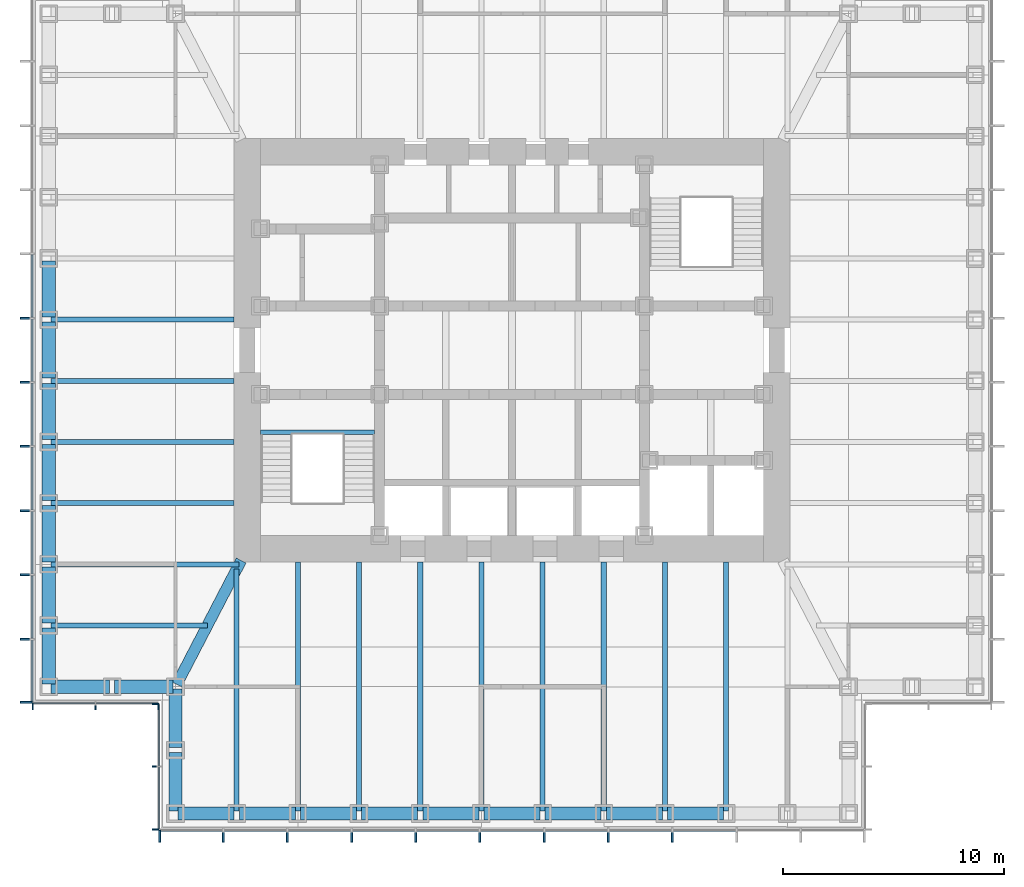
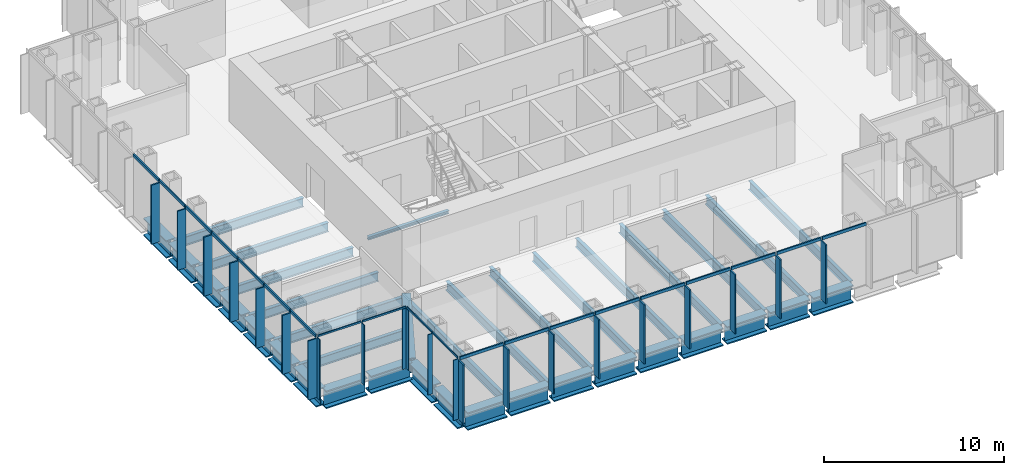
# One storey, part 2 of 16: 42 members, 37 beams, 4 elements without a shape of their own.
"""IFC4 building model written with IfcOpenShell, lengths in metres."""

from ifc_helpers import new_model, si_unit, direction, frame, origin, origin_2d, place, context, subcontext, project, spatial, rectangle, i_section, extrude, material, material_profile, profile_set, type_object, element, aggregate, save


model = new_model("IFC4")

# Units and contexts
model_context = context("Model", 3, precision=1e-05, world=origin(), true_north=direction((0.0, 1.0)))
body_context = subcontext(model_context, "Body", "Model", "MODEL_VIEW")
ifc_project = project(units=[si_unit("LENGTHUNIT", "METRE"), si_unit("AREAUNIT", "SQUARE_METRE"), si_unit("VOLUMEUNIT", "CUBIC_METRE"), si_unit("PLANEANGLEUNIT", "RADIAN"), si_unit("MASSUNIT", "GRAM", prefix="KILO")], contexts=[model_context])

# Site, building, storey
site_placement = place(None, origin())
site = spatial("IfcSite", under=ifc_project, at=site_placement, CompositionType="ELEMENT")
building_placement = place(site_placement, origin())
building = spatial("IfcBuilding", under=site, at=building_placement, Name="Daluyong Arena Tower", CompositionType="ELEMENT")
storey_placement = place(building_placement, frame((0.0, 0.0, 254.5)))
storey = spatial("IfcBuildingStorey", under=building, at=storey_placement, Name="L57", CompositionType="ELEMENT", Elevation=254.5)

# Curtain wall, members
ifc_material_1 = material(Name="Bronze anodised aluminium and glass", Category="aluminium")
curtain_wall_type_1 = type_object("IfcCurtainWallType", Name="Curtain wall CW4", PredefinedType="USERDEFINED", material=ifc_material_1)
curtain_wall_1_placement = place(storey_placement, origin())
curtain_wall_1 = element("IfcCurtainWall", 1, at=curtain_wall_1_placement, inside=storey, type_object=curtain_wall_type_1, Name="curtain wall L57 S", ObjectType="UNITISED CURTAIN WALL", PredefinedType="USERDEFINED")
ifc_material_2 = material(Name="Bronze anodised aluminium fin", Category="aluminium")
ifc_material_profile_1 = material_profile(ifc_material_2, rectangle(XDim=0.550048828125, YDim=0.090087890625, at=origin_2d()))
ifc_profile_set_1 = profile_set([ifc_material_profile_1], Name="Bronze anodised aluminium fin")
member_type_1 = type_object("IfcMemberType", Name="CW4 bronze fin 550x90", PredefinedType="MULLION", material=ifc_profile_set_1)
member_1_placement = place(storey_placement, frame((40.044921875, 57.97509765625, 0.0), z_axis=(0.0, 0.0, 1.0), x_axis=(0.0, 1.0, 0.0)))
member_1 = element("IfcMember", 2, at=member_1_placement, type_object=member_type_1, Name="curtain wall L57 S fin 1", PredefinedType="MULLION", context=body_context, shape_type="SweptSolid", body=[
    extrude(rectangle(XDim=0.550048828125, YDim=0.090087890625, at=origin_2d()), origin(), (0.0, 0.0, 1.0), 4.0),
])
member_2_placement = place(storey_placement, frame((42.9091796875, 57.97509765625, 0.0), z_axis=(0.0, 0.0, 1.0), x_axis=(0.0, 1.0, 0.0)))
member_2 = element("IfcMember", 3, at=member_2_placement, type_object=member_type_1, Name="curtain wall L57 S fin 2", PredefinedType="MULLION", context=body_context, shape_type="SweptSolid", body=[
    extrude(rectangle(XDim=0.550048828125, YDim=0.090087890625, at=origin_2d()), origin(), (0.0, 0.0, 1.0), 4.0),
])
member_3_placement = place(storey_placement, frame((45.818115234375, 57.97509765625, 0.0), z_axis=(0.0, 0.0, 1.0), x_axis=(0.0, 1.0, 0.0)))
member_3 = element("IfcMember", 4, at=member_3_placement, type_object=member_type_1, Name="curtain wall L57 S fin 3", PredefinedType="MULLION", context=body_context, shape_type="SweptSolid", body=[
    extrude(rectangle(XDim=0.550048828125, YDim=0.090087890625, at=origin_2d()), origin(), (0.0, 0.0, 1.0), 4.0),
])
member_4_placement = place(storey_placement, frame((48.727294921875, 57.97509765625, 0.0), z_axis=(0.0, 0.0, 1.0), x_axis=(0.0, 1.0, 0.0)))
member_4 = element("IfcMember", 5, at=member_4_placement, type_object=member_type_1, Name="curtain wall L57 S fin 4", PredefinedType="MULLION", context=body_context, shape_type="SweptSolid", body=[
    extrude(rectangle(XDim=0.550048828125, YDim=0.090087890625, at=origin_2d()), origin(), (0.0, 0.0, 1.0), 4.0),
])
member_5_placement = place(storey_placement, frame((51.636474609375, 57.97509765625, 0.0), z_axis=(0.0, 0.0, 1.0), x_axis=(0.0, 1.0, 0.0)))
member_5 = element("IfcMember", 6, at=member_5_placement, type_object=member_type_1, Name="curtain wall L57 S fin 5", PredefinedType="MULLION", context=body_context, shape_type="SweptSolid", body=[
    extrude(rectangle(XDim=0.550048828125, YDim=0.090087890625, at=origin_2d()), origin(), (0.0, 0.0, 1.0), 4.0),
])
member_6_placement = place(storey_placement, frame((54.54541015625, 57.97509765625, 0.0), z_axis=(0.0, 0.0, 1.0), x_axis=(0.0, 1.0, 0.0)))
member_6 = element("IfcMember", 7, at=member_6_placement, type_object=member_type_1, Name="curtain wall L57 S fin 6", PredefinedType="MULLION", context=body_context, shape_type="SweptSolid", body=[
    extrude(rectangle(XDim=0.550048828125, YDim=0.090087890625, at=origin_2d()), origin(), (0.0, 0.0, 1.0), 4.0),
])
member_7_placement = place(storey_placement, frame((57.45458984375, 57.97509765625, 0.0), z_axis=(0.0, 0.0, 1.0), x_axis=(0.0, 1.0, 0.0)))
member_7 = element("IfcMember", 8, at=member_7_placement, type_object=member_type_1, Name="curtain wall L57 S fin 7", PredefinedType="MULLION", context=body_context, shape_type="SweptSolid", body=[
    extrude(rectangle(XDim=0.550048828125, YDim=0.090087890625, at=origin_2d()), origin(), (0.0, 0.0, 1.0), 4.0),
])
member_8_placement = place(storey_placement, frame((60.363525390625, 57.97509765625, 0.0), z_axis=(0.0, 0.0, 1.0), x_axis=(0.0, 1.0, 0.0)))
member_8 = element("IfcMember", 9, at=member_8_placement, type_object=member_type_1, Name="curtain wall L57 S fin 8", PredefinedType="MULLION", context=body_context, shape_type="SweptSolid", body=[
    extrude(rectangle(XDim=0.550048828125, YDim=0.090087890625, at=origin_2d()), origin(), (0.0, 0.0, 1.0), 4.0),
])
member_9_placement = place(storey_placement, frame((63.272705078125, 57.97509765625, 0.0), z_axis=(0.0, 0.0, 1.0), x_axis=(0.0, 1.0, 0.0)))
member_9 = element("IfcMember", 10, at=member_9_placement, type_object=member_type_1, Name="curtain wall L57 S fin 9", PredefinedType="MULLION", context=body_context, shape_type="SweptSolid", body=[
    extrude(rectangle(XDim=0.550048828125, YDim=0.090087890625, at=origin_2d()), origin(), (0.0, 0.0, 1.0), 4.0),
])

curtain_wall_2_placement = place(storey_placement, origin())
curtain_wall_2 = element("IfcCurtainWall", 11, at=curtain_wall_2_placement, inside=storey, type_object=curtain_wall_type_1, Name="curtain wall L57 W", ObjectType="UNITISED CURTAIN WALL", PredefinedType="USERDEFINED")
member_10_placement = place(storey_placement, frame((33.97509765625, 81.45458984375, 0.0), z_axis=(0.0, 0.0, 1.0), x_axis=(1.0, 0.0, 0.0)))
member_10 = element("IfcMember", 12, at=member_10_placement, type_object=member_type_1, Name="curtain wall L57 W fin 6", PredefinedType="MULLION", context=body_context, shape_type="SweptSolid", body=[
    extrude(rectangle(XDim=0.550048828125, YDim=0.090087890625, at=origin_2d()), origin(), (0.0, 0.0, 1.0), 4.0),
])
member_11_placement = place(storey_placement, frame((33.97509765625, 78.54541015625, 0.0), z_axis=(0.0, 0.0, 1.0), x_axis=(1.0, 0.0, 0.0)))
member_11 = element("IfcMember", 13, at=member_11_placement, type_object=member_type_1, Name="curtain wall L57 W fin 7", PredefinedType="MULLION", context=body_context, shape_type="SweptSolid", body=[
    extrude(rectangle(XDim=0.550048828125, YDim=0.090087890625, at=origin_2d()), origin(), (0.0, 0.0, 1.0), 4.0),
])
member_12_placement = place(storey_placement, frame((33.97509765625, 75.636474609375, 0.0), z_axis=(0.0, 0.0, 1.0), x_axis=(1.0, 0.0, 0.0)))
member_12 = element("IfcMember", 14, at=member_12_placement, type_object=member_type_1, Name="curtain wall L57 W fin 8", PredefinedType="MULLION", context=body_context, shape_type="SweptSolid", body=[
    extrude(rectangle(XDim=0.550048828125, YDim=0.090087890625, at=origin_2d()), origin(), (0.0, 0.0, 1.0), 4.0),
])
member_13_placement = place(storey_placement, frame((33.97509765625, 72.727294921875, 0.0), z_axis=(0.0, 0.0, 1.0), x_axis=(1.0, 0.0, 0.0)))
member_13 = element("IfcMember", 15, at=member_13_placement, type_object=member_type_1, Name="curtain wall L57 W fin 9", PredefinedType="MULLION", context=body_context, shape_type="SweptSolid", body=[
    extrude(rectangle(XDim=0.550048828125, YDim=0.090087890625, at=origin_2d()), origin(), (0.0, 0.0, 1.0), 4.0),
])
member_14_placement = place(storey_placement, frame((33.97509765625, 69.818115234375, 0.0), z_axis=(0.0, 0.0, 1.0), x_axis=(1.0, 0.0, 0.0)))
member_14 = element("IfcMember", 16, at=member_14_placement, type_object=member_type_1, Name="curtain wall L57 W fin 10", PredefinedType="MULLION", context=body_context, shape_type="SweptSolid", body=[
    extrude(rectangle(XDim=0.550048828125, YDim=0.090087890625, at=origin_2d()), origin(), (0.0, 0.0, 1.0), 4.0),
])
member_15_placement = place(storey_placement, frame((33.97509765625, 66.9091796875, 0.0), z_axis=(0.0, 0.0, 1.0), x_axis=(1.0, 0.0, 0.0)))
member_15 = element("IfcMember", 17, at=member_15_placement, type_object=member_type_1, Name="curtain wall L57 W fin 11", PredefinedType="MULLION", context=body_context, shape_type="SweptSolid", body=[
    extrude(rectangle(XDim=0.550048828125, YDim=0.090087890625, at=origin_2d()), origin(), (0.0, 0.0, 1.0), 4.0),
])
member_16_placement = place(storey_placement, frame((33.97509765625, 64.044921875, 0.0), z_axis=(0.0, 0.0, 1.0), x_axis=(1.0, 0.0, 0.0)))
member_16 = element("IfcMember", 18, at=member_16_placement, type_object=member_type_1, Name="curtain wall L57 W fin 12", PredefinedType="MULLION", context=body_context, shape_type="SweptSolid", body=[
    extrude(rectangle(XDim=0.550048828125, YDim=0.090087890625, at=origin_2d()), origin(), (0.0, 0.0, 1.0), 4.0),
])

# Member
ifc_material_3 = material(Name="Bronze anodised aluminium", Category="aluminium")
ifc_material_profile_2 = material_profile(ifc_material_3, rectangle(XDim=0.090087890625, YDim=0.199951171875, at=origin_2d()))
ifc_profile_set_2 = profile_set([ifc_material_profile_2], Name="Bronze anodised aluminium")
member_type_2 = type_object("IfcMemberType", Name="CW4 stack transom 200x90", PredefinedType="USERDEFINED", material=ifc_profile_set_2)
member_17_placement = place(storey_placement, frame((40.090087890625, 58.25, 4.10009765625), z_axis=(1.0, 0.0, 0.0), x_axis=(0.0, 1.0, 0.0)))
member_17 = element("IfcMember", 19, at=member_17_placement, type_object=member_type_2, Name="curtain wall L57 S transom 1", ObjectType="TRANSOM", PredefinedType="USERDEFINED", context=body_context, shape_type="SweptSolid", body=[
    extrude(rectangle(XDim=0.090087890625, YDim=0.199951171875, at=origin_2d()), origin(), (0.0, 0.0, 1.0), 2.77392578125),
])

member_18_placement = place(storey_placement, frame((42.9541015625, 58.25, 4.10009765625), z_axis=(1.0, 0.0, 0.0), x_axis=(0.0, 1.0, 0.0)))
member_18 = element("IfcMember", 20, at=member_18_placement, type_object=member_type_2, Name="curtain wall L57 S transom 2", ObjectType="TRANSOM", PredefinedType="USERDEFINED", context=body_context, shape_type="SweptSolid", body=[
    extrude(rectangle(XDim=0.090087890625, YDim=0.199951171875, at=origin_2d()), origin(), (0.0, 0.0, 1.0), 2.819091796875),
])

member_19_placement = place(storey_placement, frame((45.86328125, 58.25, 4.10009765625), z_axis=(1.0, 0.0, 0.0), x_axis=(0.0, 1.0, 0.0)))
member_19 = element("IfcMember", 21, at=member_19_placement, type_object=member_type_2, Name="curtain wall L57 S transom 3", ObjectType="TRANSOM", PredefinedType="USERDEFINED", context=body_context, shape_type="SweptSolid", body=[
    extrude(rectangle(XDim=0.090087890625, YDim=0.199951171875, at=origin_2d()), origin(), (0.0, 0.0, 1.0), 2.819091796875),
])

member_20_placement = place(storey_placement, frame((48.772216796875, 58.25, 4.10009765625), z_axis=(1.0, 0.0, 0.0), x_axis=(0.0, 1.0, 0.0)))
member_20 = element("IfcMember", 22, at=member_20_placement, type_object=member_type_2, Name="curtain wall L57 S transom 4", ObjectType="TRANSOM", PredefinedType="USERDEFINED", context=body_context, shape_type="SweptSolid", body=[
    extrude(rectangle(XDim=0.090087890625, YDim=0.199951171875, at=origin_2d()), origin(), (0.0, 0.0, 1.0), 2.819091796875),
])

member_21_placement = place(storey_placement, frame((51.681396484375, 58.25, 4.10009765625), z_axis=(1.0, 0.0, 0.0), x_axis=(0.0, 1.0, 0.0)))
member_21 = element("IfcMember", 23, at=member_21_placement, type_object=member_type_2, Name="curtain wall L57 S transom 5", ObjectType="TRANSOM", PredefinedType="USERDEFINED", context=body_context, shape_type="SweptSolid", body=[
    extrude(rectangle(XDim=0.090087890625, YDim=0.199951171875, at=origin_2d()), origin(), (0.0, 0.0, 1.0), 2.819091796875),
])

member_22_placement = place(storey_placement, frame((54.590576171875, 58.25, 4.10009765625), z_axis=(1.0, 0.0, 0.0), x_axis=(0.0, 1.0, 0.0)))
member_22 = element("IfcMember", 24, at=member_22_placement, type_object=member_type_2, Name="curtain wall L57 S transom 6", ObjectType="TRANSOM", PredefinedType="USERDEFINED", context=body_context, shape_type="SweptSolid", body=[
    extrude(rectangle(XDim=0.090087890625, YDim=0.199951171875, at=origin_2d()), origin(), (0.0, 0.0, 1.0), 2.81884765625),
])

member_23_placement = place(storey_placement, frame((57.49951171875, 58.25, 4.10009765625), z_axis=(1.0, 0.0, 0.0), x_axis=(0.0, 1.0, 0.0)))
member_23 = element("IfcMember", 25, at=member_23_placement, type_object=member_type_2, Name="curtain wall L57 S transom 7", ObjectType="TRANSOM", PredefinedType="USERDEFINED", context=body_context, shape_type="SweptSolid", body=[
    extrude(rectangle(XDim=0.090087890625, YDim=0.199951171875, at=origin_2d()), origin(), (0.0, 0.0, 1.0), 2.819091796875),
])

member_24_placement = place(storey_placement, frame((60.40869140625, 58.25, 4.10009765625), z_axis=(1.0, 0.0, 0.0), x_axis=(0.0, 1.0, 0.0)))
member_24 = element("IfcMember", 26, at=member_24_placement, type_object=member_type_2, Name="curtain wall L57 S transom 8", ObjectType="TRANSOM", PredefinedType="USERDEFINED", context=body_context, shape_type="SweptSolid", body=[
    extrude(rectangle(XDim=0.090087890625, YDim=0.199951171875, at=origin_2d()), origin(), (0.0, 0.0, 1.0), 2.819091796875),
])

member_25_placement = place(storey_placement, frame((63.317626953125, 58.25, 4.10009765625), z_axis=(1.0, 0.0, 0.0), x_axis=(0.0, 1.0, 0.0)))
member_25 = element("IfcMember", 27, at=member_25_placement, type_object=member_type_2, Name="curtain wall L57 S transom 9", ObjectType="TRANSOM", PredefinedType="USERDEFINED", context=body_context, shape_type="SweptSolid", body=[
    extrude(rectangle(XDim=0.090087890625, YDim=0.199951171875, at=origin_2d()), origin(), (0.0, 0.0, 1.0), 2.819091796875),
])

aggregate(curtain_wall_1, [member_1, member_2, member_3, member_4, member_5, member_6, member_7, member_8, member_9, member_17, member_18, member_19, member_20, member_21, member_22, member_23, member_24, member_25])

member_26_placement = place(storey_placement, frame((34.25, 84.318603515625, 4.10009765625), z_axis=(0.0, -1.0, 0.0), x_axis=(1.0, 0.0, 0.0)))
member_26 = element("IfcMember", 28, at=member_26_placement, type_object=member_type_2, Name="curtain wall L57 W transom 5", ObjectType="TRANSOM", PredefinedType="USERDEFINED", context=body_context, shape_type="SweptSolid", body=[
    extrude(rectangle(XDim=0.090087890625, YDim=0.199951171875, at=origin_2d()), origin(), (0.0, 0.0, 1.0), 2.819091796875),
])

member_27_placement = place(storey_placement, frame((34.25, 81.409423828125, 4.10009765625), z_axis=(0.0, -1.0, 0.0), x_axis=(1.0, 0.0, 0.0)))
member_27 = element("IfcMember", 29, at=member_27_placement, type_object=member_type_2, Name="curtain wall L57 W transom 6", ObjectType="TRANSOM", PredefinedType="USERDEFINED", context=body_context, shape_type="SweptSolid", body=[
    extrude(rectangle(XDim=0.090087890625, YDim=0.199951171875, at=origin_2d()), origin(), (0.0, 0.0, 1.0), 2.81884765625),
])

member_28_placement = place(storey_placement, frame((34.25, 78.50048828125, 4.10009765625), z_axis=(0.0, -1.0, 0.0), x_axis=(1.0, 0.0, 0.0)))
member_28 = element("IfcMember", 30, at=member_28_placement, type_object=member_type_2, Name="curtain wall L57 W transom 7", ObjectType="TRANSOM", PredefinedType="USERDEFINED", context=body_context, shape_type="SweptSolid", body=[
    extrude(rectangle(XDim=0.090087890625, YDim=0.199951171875, at=origin_2d()), origin(), (0.0, 0.0, 1.0), 2.819091796875),
])

member_29_placement = place(storey_placement, frame((34.25, 75.59130859375, 4.10009765625), z_axis=(0.0, -1.0, 0.0), x_axis=(1.0, 0.0, 0.0)))
member_29 = element("IfcMember", 31, at=member_29_placement, type_object=member_type_2, Name="curtain wall L57 W transom 8", ObjectType="TRANSOM", PredefinedType="USERDEFINED", context=body_context, shape_type="SweptSolid", body=[
    extrude(rectangle(XDim=0.090087890625, YDim=0.199951171875, at=origin_2d()), origin(), (0.0, 0.0, 1.0), 2.819091796875),
])

member_30_placement = place(storey_placement, frame((34.25, 72.682373046875, 4.10009765625), z_axis=(0.0, -1.0, 0.0), x_axis=(1.0, 0.0, 0.0)))
member_30 = element("IfcMember", 32, at=member_30_placement, type_object=member_type_2, Name="curtain wall L57 W transom 9", ObjectType="TRANSOM", PredefinedType="USERDEFINED", context=body_context, shape_type="SweptSolid", body=[
    extrude(rectangle(XDim=0.090087890625, YDim=0.199951171875, at=origin_2d()), origin(), (0.0, 0.0, 1.0), 2.819091796875),
])

member_31_placement = place(storey_placement, frame((34.25, 69.773193359375, 4.10009765625), z_axis=(0.0, -1.0, 0.0), x_axis=(1.0, 0.0, 0.0)))
member_31 = element("IfcMember", 33, at=member_31_placement, type_object=member_type_2, Name="curtain wall L57 W transom 10", ObjectType="TRANSOM", PredefinedType="USERDEFINED", context=body_context, shape_type="SweptSolid", body=[
    extrude(rectangle(XDim=0.090087890625, YDim=0.199951171875, at=origin_2d()), origin(), (0.0, 0.0, 1.0), 2.819091796875),
])

member_32_placement = place(storey_placement, frame((34.25, 66.864013671875, 4.10009765625), z_axis=(0.0, -1.0, 0.0), x_axis=(1.0, 0.0, 0.0)))
member_32 = element("IfcMember", 34, at=member_32_placement, type_object=member_type_2, Name="curtain wall L57 W transom 11", ObjectType="TRANSOM", PredefinedType="USERDEFINED", context=body_context, shape_type="SweptSolid", body=[
    extrude(rectangle(XDim=0.090087890625, YDim=0.199951171875, at=origin_2d()), origin(), (0.0, 0.0, 1.0), 2.77392578125),
])

aggregate(curtain_wall_2, [member_10, member_11, member_12, member_13, member_14, member_15, member_16, member_26, member_27, member_28, member_29, member_30, member_31, member_32])

# Curtain wall, members
ifc_material_4 = material(Name="Bronze anodised aluminium and glass", Category="aluminium")
curtain_wall_type_2 = type_object("IfcCurtainWallType", Name="Curtain wall CW7", PredefinedType="USERDEFINED", material=ifc_material_4)
curtain_wall_3_placement = place(storey_placement, origin())
curtain_wall_3 = element("IfcCurtainWall", 35, at=curtain_wall_3_placement, inside=storey, type_object=curtain_wall_type_2, Name="curtain wall L57 SW-S", ObjectType="UNITISED CURTAIN WALL", PredefinedType="USERDEFINED")
ifc_material_5 = material(Name="Bronze anodised aluminium fin", Category="aluminium")
ifc_material_profile_3 = material_profile(ifc_material_5, rectangle(XDim=0.300048828125, YDim=0.06005859375, at=origin_2d()))
ifc_profile_set_3 = profile_set([ifc_material_profile_3], Name="Bronze anodised aluminium fin")
member_type_3 = type_object("IfcMemberType", Name="CW7 bronze fin 300x60", PredefinedType="MULLION", material=ifc_profile_set_3)
member_33_placement = place(storey_placement, frame((34.280029296875, 63.85009765625, 0.0), z_axis=(0.0, 0.0, 1.0), x_axis=(0.0, 1.0, 0.0)))
member_33 = element("IfcMember", 36, at=member_33_placement, type_object=member_type_3, Name="curtain wall L57 SW-S fin 1", PredefinedType="MULLION", context=body_context, shape_type="SweptSolid", body=[
    extrude(rectangle(XDim=0.300048828125, YDim=0.06005859375, at=origin_2d()), origin(), (0.0, 0.0, 1.0), 4.080078125),
])
member_34_placement = place(storey_placement, frame((37.125, 63.85009765625, 0.0), z_axis=(0.0, 0.0, 1.0), x_axis=(0.0, 1.0, 0.0)))
member_34 = element("IfcMember", 37, at=member_34_placement, type_object=member_type_3, Name="curtain wall L57 SW-S fin 2", PredefinedType="MULLION", context=body_context, shape_type="SweptSolid", body=[
    extrude(rectangle(XDim=0.300048828125, YDim=0.06005859375, at=origin_2d()), origin(), (0.0, 0.0, 1.0), 4.080078125),
])
member_35_placement = place(storey_placement, frame((39.969970703125, 63.85009765625, 0.0), z_axis=(0.0, 0.0, 1.0), x_axis=(0.0, 1.0, 0.0)))
member_35 = element("IfcMember", 38, at=member_35_placement, type_object=member_type_3, Name="curtain wall L57 SW-S fin 3", PredefinedType="MULLION", context=body_context, shape_type="SweptSolid", body=[
    extrude(rectangle(XDim=0.300048828125, YDim=0.06005859375, at=origin_2d()), origin(), (0.0, 0.0, 1.0), 4.080078125),
])

curtain_wall_4_placement = place(storey_placement, origin())
curtain_wall_4 = element("IfcCurtainWall", 39, at=curtain_wall_4_placement, inside=storey, type_object=curtain_wall_type_2, Name="curtain wall L57 SW-W", ObjectType="UNITISED CURTAIN WALL", PredefinedType="USERDEFINED")
member_36_placement = place(storey_placement, frame((39.85009765625, 63.969970703125, 0.0), z_axis=(0.0, 0.0, 1.0), x_axis=(1.0, 0.0, 0.0)))
member_36 = element("IfcMember", 40, at=member_36_placement, type_object=member_type_3, Name="curtain wall L57 SW-W fin 1", PredefinedType="MULLION", context=body_context, shape_type="SweptSolid", body=[
    extrude(rectangle(XDim=0.300048828125, YDim=0.06005859375, at=origin_2d()), origin(), (0.0, 0.0, 1.0), 4.080078125),
])
member_37_placement = place(storey_placement, frame((39.85009765625, 61.125, 0.0), z_axis=(0.0, 0.0, 1.0), x_axis=(1.0, 0.0, 0.0)))
member_37 = element("IfcMember", 41, at=member_37_placement, type_object=member_type_3, Name="curtain wall L57 SW-W fin 2", PredefinedType="MULLION", context=body_context, shape_type="SweptSolid", body=[
    extrude(rectangle(XDim=0.300048828125, YDim=0.06005859375, at=origin_2d()), origin(), (0.0, 0.0, 1.0), 4.080078125),
])
member_38_placement = place(storey_placement, frame((39.85009765625, 58.280029296875, 0.0), z_axis=(0.0, 0.0, 1.0), x_axis=(1.0, 0.0, 0.0)))
member_38 = element("IfcMember", 42, at=member_38_placement, type_object=member_type_3, Name="curtain wall L57 SW-W fin 3", PredefinedType="MULLION", context=body_context, shape_type="SweptSolid", body=[
    extrude(rectangle(XDim=0.300048828125, YDim=0.06005859375, at=origin_2d()), origin(), (0.0, 0.0, 1.0), 4.080078125),
])

# Member
ifc_material_6 = material(Name="Bronze anodised aluminium", Category="aluminium")
ifc_material_profile_4 = material_profile(ifc_material_6, rectangle(XDim=0.06005859375, YDim=0.1201171875, at=origin_2d()))
ifc_profile_set_4 = profile_set([ifc_material_profile_4], Name="Bronze anodised aluminium")
member_type_4 = type_object("IfcMemberType", Name="CW7 stack transom 120x60", PredefinedType="USERDEFINED", material=ifc_profile_set_4)
member_39_placement = place(storey_placement, frame((34.31005859375, 64.0, 4.139892578125), z_axis=(1.0, 0.0, 0.0), x_axis=(0.0, 1.0, 0.0)))
member_39 = element("IfcMember", 43, at=member_39_placement, type_object=member_type_4, Name="curtain wall L57 SW-S transom 1", ObjectType="TRANSOM", PredefinedType="USERDEFINED", context=body_context, shape_type="SweptSolid", body=[
    extrude(rectangle(XDim=0.06005859375, YDim=0.1201171875, at=origin_2d()), origin(), (0.0, 0.0, 1.0), 2.784912109375),
])

member_40_placement = place(storey_placement, frame((37.155029296875, 64.0, 4.139892578125), z_axis=(1.0, 0.0, 0.0), x_axis=(0.0, 1.0, 0.0)))
member_40 = element("IfcMember", 44, at=member_40_placement, type_object=member_type_4, Name="curtain wall L57 SW-S transom 2", ObjectType="TRANSOM", PredefinedType="USERDEFINED", context=body_context, shape_type="SweptSolid", body=[
    extrude(rectangle(XDim=0.06005859375, YDim=0.1201171875, at=origin_2d()), origin(), (0.0, 0.0, 1.0), 2.784912109375),
])

aggregate(curtain_wall_3, [member_33, member_34, member_35, member_39, member_40])

member_41_placement = place(storey_placement, frame((40.0, 63.93994140625, 4.139892578125), z_axis=(0.0, -1.0, 0.0), x_axis=(1.0, 0.0, 0.0)))
member_41 = element("IfcMember", 45, at=member_41_placement, type_object=member_type_4, Name="curtain wall L57 SW-W transom 1", ObjectType="TRANSOM", PredefinedType="USERDEFINED", context=body_context, shape_type="SweptSolid", body=[
    extrude(rectangle(XDim=0.06005859375, YDim=0.1201171875, at=origin_2d()), origin(), (0.0, 0.0, 1.0), 2.784912109375),
])

member_42_placement = place(storey_placement, frame((40.0, 61.094970703125, 4.139892578125), z_axis=(0.0, -1.0, 0.0), x_axis=(1.0, 0.0, 0.0)))
member_42 = element("IfcMember", 46, at=member_42_placement, type_object=member_type_4, Name="curtain wall L57 SW-W transom 2", ObjectType="TRANSOM", PredefinedType="USERDEFINED", context=body_context, shape_type="SweptSolid", body=[
    extrude(rectangle(XDim=0.06005859375, YDim=0.1201171875, at=origin_2d()), origin(), (0.0, 0.0, 1.0), 2.784912109375),
])

aggregate(curtain_wall_4, [member_36, member_37, member_38, member_41, member_42])

# Beams
ifc_material_7 = material(Name="Steel ASTM A572 Grade 50", Category="steel")
ifc_material_profile_5 = material_profile(ifc_material_7, i_section(OverallWidth=0.5, OverallDepth=1.0, WebThickness=0.03, FlangeThickness=0.06, at=origin_2d()))
ifc_profile_set_5 = profile_set([ifc_material_profile_5], Name="Steel ASTM A572 Grade 50")
beam_type_1 = type_object("IfcBeamType", Name="Corner girder TB1000X500", PredefinedType="BEAM", material=ifc_profile_set_5)
beam_1_placement = place(storey_placement, frame((40.802978515625, 64.85205078125, -0.659912109375), z_axis=(0.461351522179, 0.887217432754, 0.0), x_axis=(-0.887217432754, 0.461351522179, 0.0)))
element("IfcBeam", 47, at=beam_1_placement, inside=storey, type_object=beam_type_1, Name="corner girder DG2", PredefinedType="BEAM", context=body_context, shape_type="SweptSolid", body=[
    extrude(i_section(OverallWidth=0.5, OverallDepth=1.0, WebThickness=0.03, FlangeThickness=0.06, at=origin_2d()), origin(), (0.0, 0.0, 1.0), 6.32958984375),
])
ifc_material_8 = material(Name="Steel ASTM A992 Grade 50", Category="steel")
ifc_material_profile_6 = material_profile(ifc_material_8, i_section(OverallWidth=0.22900390625, OverallDepth=0.612060546875, WebThickness=0.011962890625, FlangeThickness=0.01953125, at=origin_2d()))
ifc_profile_set_6 = profile_set([ifc_material_profile_6], Name="Steel ASTM A992 Grade 50")
beam_type_2 = type_object("IfcBeamType", Name="Floor beam W24X84", PredefinedType="BEAM", material=ifc_profile_set_6)
beam_2_placement = place(storey_placement, frame((43.522705078125, 59.114990234375, -0.466064453125), z_axis=(0.0, 1.0, 0.0), x_axis=(-1.0, 0.0, 0.0)))
element("IfcBeam", 48, at=beam_2_placement, inside=storey, type_object=beam_type_2, Name="floor beam FB3", PredefinedType="BEAM", context=body_context, shape_type="SweptSolid", body=[
    extrude(i_section(OverallWidth=0.22900390625, OverallDepth=0.612060546875, WebThickness=0.011962890625, FlangeThickness=0.01953125, at=origin_2d()), origin(), (0.0, 0.0, 1.0), 10.96728515625),
])
for number, where, z_axis, x_axis, name in (
    (49, (46.29541015625, 59.114990234375, -0.466064453125), (0.0, 1.0, 0.0), (-1.0, 0.0, 0.0), "floor beam FB3"),
    (50, (49.068115234375, 59.114990234375, -0.466064453125), (0.0, 1.0, 0.0), (-1.0, 0.0, 0.0), "floor beam FB3"),
    (51, (51.8408203125, 59.114990234375, -0.466064453125), (0.0, 1.0, 0.0), (-1.0, 0.0, 0.0), "floor beam FB3"),
    (52, (54.613525390625, 59.114990234375, -0.466064453125), (0.0, 1.0, 0.0), (-1.0, 0.0, 0.0), "floor beam FB3"),
    (53, (57.386474609375, 59.114990234375, -0.466064453125), (0.0, 1.0, 0.0), (-1.0, 0.0, 0.0), "floor beam FB3"),
    (54, (60.1591796875, 59.114990234375, -0.466064453125), (0.0, 1.0, 0.0), (-1.0, 0.0, 0.0), "floor beam FB3"),
    (55, (62.931884765625, 59.114990234375, -0.466064453125), (0.0, 1.0, 0.0), (-1.0, 0.0, 0.0), "floor beam FB3"),
    (56, (65.70458984375, 59.114990234375, -0.466064453125), (0.0, 1.0, 0.0), (-1.0, 0.0, 0.0), "floor beam FB3"),
):
    element("IfcBeam", number, at=place(storey_placement, frame(where, z_axis=z_axis, x_axis=x_axis)), inside=storey, type_object=beam_type_2, Name=name, PredefinedType="BEAM", context=body_context, shape_type="SweptSolid", body=[
        extrude(i_section(OverallWidth=0.22900390625, OverallDepth=0.612060546875, WebThickness=0.011962890625, FlangeThickness=0.01953125, at=origin_2d()), origin(), (0.0, 0.0, 1.0), 11.284912109375),
    ])
for number, where, z_axis, x_axis, name in (
    (57, (35.114990234375, 81.386474609375, -0.466064453125), (1.0, 0.0, 0.0), (0.0, 1.0, 0.0), "floor beam FB3"),
    (58, (35.114990234375, 78.613525390625, -0.466064453125), (1.0, 0.0, 0.0), (0.0, 1.0, 0.0), "floor beam FB3"),
    (59, (35.114990234375, 75.8408203125, -0.466064453125), (1.0, 0.0, 0.0), (0.0, 1.0, 0.0), "floor beam FB3"),
    (60, (35.114990234375, 73.068115234375, -0.466064453125), (1.0, 0.0, 0.0), (0.0, 1.0, 0.0), "floor beam FB3"),
):
    element("IfcBeam", number, at=place(storey_placement, frame(where, z_axis=z_axis, x_axis=x_axis)), inside=storey, type_object=beam_type_2, Name=name, PredefinedType="BEAM", context=body_context, shape_type="SweptSolid", body=[
        extrude(i_section(OverallWidth=0.22900390625, OverallDepth=0.612060546875, WebThickness=0.011962890625, FlangeThickness=0.01953125, at=origin_2d()), origin(), (0.0, 0.0, 1.0), 8.284912109375),
    ])
beam_3_placement = place(storey_placement, frame((35.114990234375, 70.29541015625, -0.466064453125), z_axis=(1.0, 0.0, 0.0), x_axis=(0.0, 1.0, 0.0)))
element("IfcBeam", 61, at=beam_3_placement, inside=storey, type_object=beam_type_2, Name="floor beam FB3", PredefinedType="BEAM", context=body_context, shape_type="SweptSolid", body=[
    extrude(i_section(OverallWidth=0.22900390625, OverallDepth=0.612060546875, WebThickness=0.011962890625, FlangeThickness=0.01953125, at=origin_2d()), origin(), (0.0, 0.0, 1.0), 8.5185546875),
])
beam_4_placement = place(storey_placement, frame((35.114990234375, 67.522705078125, -0.466064453125), z_axis=(1.0, 0.0, 0.0), x_axis=(0.0, 1.0, 0.0)))
element("IfcBeam", 62, at=beam_4_placement, inside=storey, type_object=beam_type_2, Name="floor beam FB3", PredefinedType="BEAM", context=body_context, shape_type="SweptSolid", body=[
    extrude(i_section(OverallWidth=0.22900390625, OverallDepth=0.612060546875, WebThickness=0.011962890625, FlangeThickness=0.01953125, at=origin_2d()), origin(), (0.0, 0.0, 1.0), 7.076904296875),
])
ifc_material_9 = material(Name="Steel ASTM A572 Grade 50", Category="steel")
ifc_material_profile_7 = material_profile(ifc_material_9, i_section(OverallWidth=0.60009765625, OverallDepth=1.199951171875, WebThickness=0.03, FlangeThickness=0.08, at=origin_2d()))
ifc_profile_set_7 = profile_set([ifc_material_profile_7], Name="Steel ASTM A572 Grade 50")
beam_type_3 = type_object("IfcBeamType", Name="Spandrel Z4 PG1200X600", PredefinedType="SPANDREL", material=ifc_profile_set_7)
for number, where, z_axis, x_axis, name in (
    (63, (40.864990234375, 59.0, -0.760009765625), (1.0, 0.0, 0.0), (0.0, 1.0, 0.0), "spandrel z4 SB9"),
    (64, (43.6376953125, 59.0, -0.760009765625), (1.0, 0.0, 0.0), (0.0, 1.0, 0.0), "spandrel z4 SB9"),
    (65, (46.410400390625, 59.0, -0.760009765625), (1.0, 0.0, 0.0), (0.0, 1.0, 0.0), "spandrel z4 SB9"),
    (66, (49.18310546875, 59.0, -0.760009765625), (1.0, 0.0, 0.0), (0.0, 1.0, 0.0), "spandrel z4 SB9"),
    (67, (51.955810546875, 59.0, -0.760009765625), (1.0, 0.0, 0.0), (0.0, 1.0, 0.0), "spandrel z4 SB9"),
):
    element("IfcBeam", number, at=place(storey_placement, frame(where, z_axis=z_axis, x_axis=x_axis)), inside=storey, type_object=beam_type_3, Name=name, PredefinedType="SPANDREL", context=body_context, shape_type="SweptSolid", body=[
        extrude(i_section(OverallWidth=0.60009765625, OverallDepth=1.199951171875, WebThickness=0.03, FlangeThickness=0.08, at=origin_2d()), origin(), (0.0, 0.0, 1.0), 2.542724609375),
    ])
beam_5_placement = place(storey_placement, frame((54.728515625, 59.0, -0.760009765625), z_axis=(1.0, 0.0, 0.0), x_axis=(0.0, 1.0, 0.0)))
element("IfcBeam", 68, at=beam_5_placement, inside=storey, type_object=beam_type_3, Name="spandrel z4 SB9", PredefinedType="SPANDREL", context=body_context, shape_type="SweptSolid", body=[
    extrude(i_section(OverallWidth=0.60009765625, OverallDepth=1.199951171875, WebThickness=0.03, FlangeThickness=0.08, at=origin_2d()), origin(), (0.0, 0.0, 1.0), 2.54296875),
])
for number, where, z_axis, x_axis, name in (
    (69, (57.50146484375, 59.0, -0.760009765625), (1.0, 0.0, 0.0), (0.0, 1.0, 0.0), "spandrel z4 SB9"),
    (70, (60.274169921875, 59.0, -0.760009765625), (1.0, 0.0, 0.0), (0.0, 1.0, 0.0), "spandrel z4 SB9"),
    (71, (63.046875, 59.0, -0.760009765625), (1.0, 0.0, 0.0), (0.0, 1.0, 0.0), "spandrel z4 SB9"),
    (72, (35.0, 84.044189453125, -0.760009765625), (0.0, -1.0, 0.0), (1.0, 0.0, 0.0), "spandrel z4 SB9"),
):
    element("IfcBeam", number, at=place(storey_placement, frame(where, z_axis=z_axis, x_axis=x_axis)), inside=storey, type_object=beam_type_3, Name=name, PredefinedType="SPANDREL", context=body_context, shape_type="SweptSolid", body=[
        extrude(i_section(OverallWidth=0.60009765625, OverallDepth=1.199951171875, WebThickness=0.03, FlangeThickness=0.08, at=origin_2d()), origin(), (0.0, 0.0, 1.0), 2.542724609375),
    ])
beam_6_placement = place(storey_placement, frame((35.0, 81.271484375, -0.760009765625), z_axis=(0.0, -1.0, 0.0), x_axis=(1.0, 0.0, 0.0)))
element("IfcBeam", 73, at=beam_6_placement, inside=storey, type_object=beam_type_3, Name="spandrel z4 SB9", PredefinedType="SPANDREL", context=body_context, shape_type="SweptSolid", body=[
    extrude(i_section(OverallWidth=0.60009765625, OverallDepth=1.199951171875, WebThickness=0.03, FlangeThickness=0.08, at=origin_2d()), origin(), (0.0, 0.0, 1.0), 2.54296875),
])
for number, where, z_axis, x_axis, name in (
    (74, (35.0, 78.49853515625, -0.760009765625), (0.0, -1.0, 0.0), (1.0, 0.0, 0.0), "spandrel z4 SB9"),
    (75, (35.0, 75.725830078125, -0.760009765625), (0.0, -1.0, 0.0), (1.0, 0.0, 0.0), "spandrel z4 SB9"),
    (76, (35.0, 72.953125, -0.760009765625), (0.0, -1.0, 0.0), (1.0, 0.0, 0.0), "spandrel z4 SB9"),
    (77, (35.0, 70.180419921875, -0.760009765625), (0.0, -1.0, 0.0), (1.0, 0.0, 0.0), "spandrel z4 SB9"),
    (78, (35.0, 67.40771484375, -0.760009765625), (0.0, -1.0, 0.0), (1.0, 0.0, 0.0), "spandrel z4 SB9"),
):
    element("IfcBeam", number, at=place(storey_placement, frame(where, z_axis=z_axis, x_axis=x_axis)), inside=storey, type_object=beam_type_3, Name=name, PredefinedType="SPANDREL", context=body_context, shape_type="SweptSolid", body=[
        extrude(i_section(OverallWidth=0.60009765625, OverallDepth=1.199951171875, WebThickness=0.03, FlangeThickness=0.08, at=origin_2d()), origin(), (0.0, 0.0, 1.0), 2.542724609375),
    ])
for number, where, z_axis, x_axis, name in (
    (79, (35.114990234375, 64.75, -0.760009765625), (1.0, 0.0, 0.0), (0.0, 1.0, 0.0), "spandrel z4 SB9"),
    (80, (37.989990234375, 64.75, -0.760009765625), (1.0, 0.0, 0.0), (0.0, 1.0, 0.0), "spandrel z4 SB9"),
    (81, (40.75, 64.635009765625, -0.760009765625), (0.0, -1.0, 0.0), (1.0, 0.0, 0.0), "spandrel z4 SB9"),
    (82, (40.75, 61.760009765625, -0.760009765625), (0.0, -1.0, 0.0), (1.0, 0.0, 0.0), "spandrel z4 SB9"),
):
    element("IfcBeam", number, at=place(storey_placement, frame(where, z_axis=z_axis, x_axis=x_axis)), inside=storey, type_object=beam_type_3, Name=name, PredefinedType="SPANDREL", context=body_context, shape_type="SweptSolid", body=[
        extrude(i_section(OverallWidth=0.60009765625, OverallDepth=1.199951171875, WebThickness=0.03, FlangeThickness=0.08, at=origin_2d()), origin(), (0.0, 0.0, 1.0), 2.64501953125),
    ])
ifc_material_10 = material(Name="Steel ASTM A992 Grade 50", Category="steel")
ifc_material_profile_8 = material_profile(ifc_material_10, i_section(OverallWidth=0.203125, OverallDepth=0.203125, WebThickness=0.00732421875, FlangeThickness=0.010986328125, at=origin_2d()))
ifc_profile_set_8 = profile_set([ifc_material_profile_8], Name="Steel ASTM A992 Grade 50")
beam_type_4 = type_object("IfcBeamType", Name="Stair landing beam W8X31", PredefinedType="BEAM", material=ifc_profile_set_8)
beam_7_placement = place(storey_placement, frame((44.60009765625, 76.276611328125, -0.26171875), z_axis=(1.0, 0.0, 0.0), x_axis=(0.0, 1.0, 0.0)))
element("IfcBeam", 83, at=beam_7_placement, inside=storey, type_object=beam_type_4, Name="exit stair A landing beam", PredefinedType="BEAM", context=body_context, shape_type="SweptSolid", body=[
    extrude(i_section(OverallWidth=0.203125, OverallDepth=0.203125, WebThickness=0.00732421875, FlangeThickness=0.010986328125, at=origin_2d()), origin(), (0.0, 0.0, 1.0), 5.1748046875),
])

save(model, "model.ifc")
